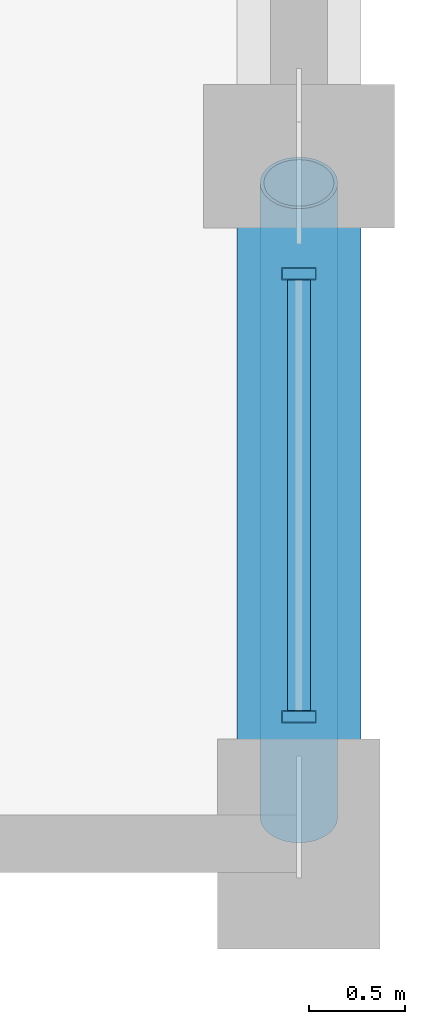
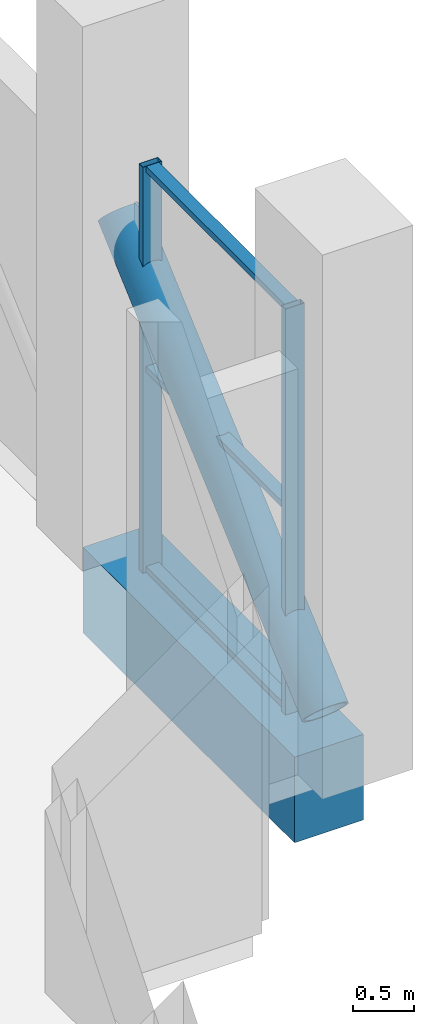
# One storey, part 9 of 19: 6 members, 1 beam, 1 element without a shape of its own.
"""IFC4 building model written with IfcOpenShell, lengths in metres."""

from ifc_helpers import new_model, si_unit, direction, frame, origin, origin_2d, place, context, subcontext, project, spatial, rectangle, hollow_rectangle, hollow_circle, extrude, material, layer, layer_set, material_profile, profile_set, type_object, element, aggregate, save


model = new_model("IFC4")

# Units and contexts
model_context = context("Model", 3, precision=1e-05, world=origin(), true_north=direction((0.0, 1.0)))
body_context = subcontext(model_context, "Body", "Model", "MODEL_VIEW")
ifc_project = project(units=[si_unit("LENGTHUNIT", "METRE"), si_unit("AREAUNIT", "SQUARE_METRE"), si_unit("VOLUMEUNIT", "CUBIC_METRE"), si_unit("PLANEANGLEUNIT", "RADIAN"), si_unit("MASSUNIT", "GRAM", prefix="KILO")], contexts=[model_context])

# Site, building, storey
site_placement = place(None, origin())
site = spatial("IfcSite", under=ifc_project, at=site_placement, CompositionType="ELEMENT")
building_placement = place(site_placement, origin())
building = spatial("IfcBuilding", under=site, at=building_placement, Name="Solnavia Interchange Tower", CompositionType="ELEMENT")
storey_placement = place(building_placement, frame((0.0, 0.0, 169.39990234375)))
storey = spatial("IfcBuildingStorey", under=building, at=storey_placement, Name="L42", CompositionType="ELEMENT", Elevation=169.39990234375)

# Beam
ifc_material_1 = material(Name="Concrete C50/60", Category="concrete")
ifc_material_profile_1 = material_profile(ifc_material_1, rectangle(XDim=0.64990234375, YDim=0.85009765625, at=origin_2d()), Name="RC 650x850")
ifc_profile_set_1 = profile_set([ifc_material_profile_1], Name="Concrete C50/60")
beam_type = type_object("IfcBeamType", Name="Beam-Spandrel-RC650x850", PredefinedType="SPANDREL", material=ifc_profile_set_1)
beam_placement = place(storey_placement, frame((54.0, 7.280029296875, -0.4248046875), z_axis=(0.0, 1.0, 0.0), x_axis=(-1.0, 0.0, 0.0)))
element("IfcBeam", 1, at=beam_placement, inside=storey, type_object=beam_type, Name="SPB-L42-16 Framed-tube perimeter spandrel beam", PredefinedType="SPANDREL", context=body_context, shape_type="SweptSolid", body=[
    extrude(rectangle(XDim=0.64990234375, YDim=0.85009765625, at=origin_2d()), origin(), (0.0, 0.0, 1.0), 3.43994140625),
])

# Curtain wall, members
ifc_material_2 = material(Name="Aluminium Alloy 6063-T6", Category="aluminium")
ifc_layer = layer(ifc_material_2, 0.199951171875)
ifc_layer_set = layer_set([ifc_layer], Name="Aluminium Alloy 6063-T6")
curtain_wall_type = type_object("IfcCurtainWallType", Name="CurtainWall-Louvre-CTW5", PredefinedType="NOTDEFINED", material=ifc_layer_set)
curtain_wall_placement = place(storey_placement, origin())
curtain_wall = element("IfcCurtainWall", 2, at=curtain_wall_placement, inside=storey, type_object=curtain_wall_type, Name="CTW-L42-L12 CTW-5 curtain wall", PredefinedType="NOTDEFINED")
ifc_material_profile_2 = material_profile(ifc_material_2, hollow_rectangle(XDim=0.06494140625, YDim=0.179931640625, WallThickness=0.00439453125, at=origin_2d()), Name="ALU 180x65x4.5")
ifc_profile_set_2 = profile_set([ifc_material_profile_2], Name="Aluminium Alloy 6063-T6")
member_type_1 = type_object("IfcMemberType", Name="CW-Mullion-CWM-5", PredefinedType="MULLION", material=ifc_profile_set_2)
member_1_placement = place(storey_placement, frame((54.0, 7.864990234375, 0.0), z_axis=(0.0, 0.0, 1.0), x_axis=(0.0, 1.0, 0.0)))
member_1 = element("IfcMember", 3, at=member_1_placement, type_object=member_type_1, Name="CTW-5 mullion 1", PredefinedType="MULLION", context=body_context, shape_type="SweptSolid", body=[
    extrude(hollow_rectangle(XDim=0.06494140625, YDim=0.179931640625, WallThickness=0.00439453125, at=origin_2d()), origin(), (0.0, 0.0, 1.0), 4.030029296875),
])
member_2_placement = place(storey_placement, frame((54.0, 10.18505859375, 0.0), z_axis=(0.0, 0.0, 1.0), x_axis=(0.0, 1.0, 0.0)))
member_2 = element("IfcMember", 4, at=member_2_placement, type_object=member_type_1, Name="CTW-5 mullion 2", PredefinedType="MULLION", context=body_context, shape_type="SweptSolid", body=[
    extrude(hollow_rectangle(XDim=0.06494140625, YDim=0.179931640625, WallThickness=0.00439453125, at=origin_2d()), origin(), (0.0, 0.0, 1.0), 4.030029296875),
])
ifc_material_profile_3 = material_profile(ifc_material_2, hollow_rectangle(XDim=0.06005859375, YDim=0.1201171875, WallThickness=0.00390625, at=origin_2d()), Name="ALU 120x60x4")
ifc_profile_set_3 = profile_set([ifc_material_profile_3], Name="Aluminium Alloy 6063-T6")
member_type_2 = type_object("IfcMemberType", Name="CW-Transom-CWT-5", PredefinedType="USERDEFINED", material=ifc_profile_set_3)
member_3_placement = place(storey_placement, frame((54.0, 7.8974609375, 0.030029296875), z_axis=(0.0, 1.0, 0.0), x_axis=(0.0, 0.0, 1.0)))
member_3 = element("IfcMember", 5, at=member_3_placement, type_object=member_type_2, Name="CTW-5 transom 1.1", ObjectType="TRANSOM", PredefinedType="USERDEFINED", context=body_context, shape_type="SweptSolid", body=[
    extrude(hollow_rectangle(XDim=0.06005859375, YDim=0.1201171875, WallThickness=0.00390625, at=origin_2d()), origin(), (0.0, 0.0, 1.0), 2.255126953125),
])
member_4_placement = place(storey_placement, frame((54.0, 7.8974609375, 2.01513671875), z_axis=(0.0, 1.0, 0.0), x_axis=(0.0, 0.0, 1.0)))
member_4 = element("IfcMember", 6, at=member_4_placement, type_object=member_type_2, Name="CTW-5 transom 1.2", ObjectType="TRANSOM", PredefinedType="USERDEFINED", context=body_context, shape_type="SweptSolid", body=[
    extrude(hollow_rectangle(XDim=0.06005859375, YDim=0.1201171875, WallThickness=0.00390625, at=origin_2d()), origin(), (0.0, 0.0, 1.0), 2.255126953125),
])
member_5_placement = place(storey_placement, frame((54.0, 7.8974609375, 4.0), z_axis=(0.0, 1.0, 0.0), x_axis=(0.0, 0.0, 1.0)))
member_5 = element("IfcMember", 7, at=member_5_placement, type_object=member_type_2, Name="CTW-5 transom 1.3", ObjectType="TRANSOM", PredefinedType="USERDEFINED", context=body_context, shape_type="SweptSolid", body=[
    extrude(hollow_rectangle(XDim=0.06005859375, YDim=0.1201171875, WallThickness=0.00390625, at=origin_2d()), origin(), (0.0, 0.0, 1.0), 2.255126953125),
])
aggregate(curtain_wall, [member_1, member_2, member_3, member_4, member_5])

# Member
ifc_material_3 = material(Name="Steel S460", Category="steel")
ifc_material_profile_4 = material_profile(ifc_material_3, hollow_circle(Radius=0.203125, WallThickness=0.02001953125, at=origin_2d()), Name="CHS 406.4x20")
ifc_profile_set_4 = profile_set([ifc_material_profile_4], Name="Steel S460")
member_type_3 = type_object("IfcMemberType", Name="Outrigger-Diag-CHS406", PredefinedType="BRACE", material=ifc_profile_set_4)
member_6_placement = place(storey_placement, frame((54.0, 7.340087890625, 0.300048828125), z_axis=(0.0, 0.747521528567, 0.664237581238), x_axis=(-1.0, 0.0, 0.0)))
element("IfcMember", 8, at=member_6_placement, inside=storey, type_object=member_type_3, Name="OTR-L42-BT07 Belt truss diagonal", PredefinedType="BRACE", context=body_context, shape_type="SweptSolid", body=[
    extrude(hollow_circle(Radius=0.203125, WallThickness=0.02001953125, at=origin_2d()), origin(), (0.0, 0.0, 1.0), 4.441162109375),
])

save(model, "model.ifc")
